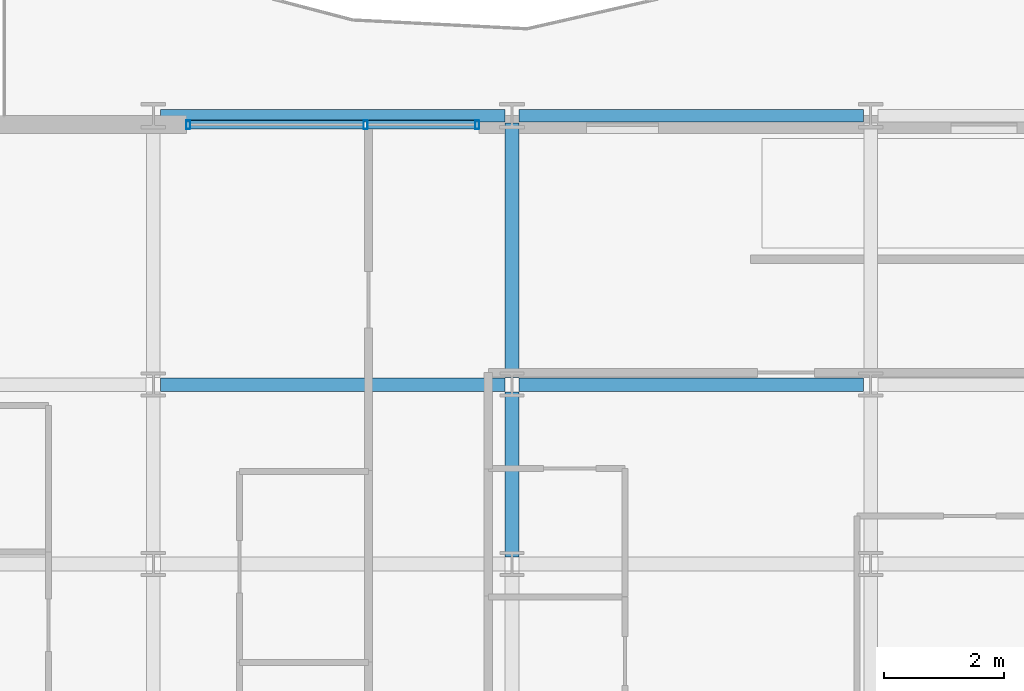
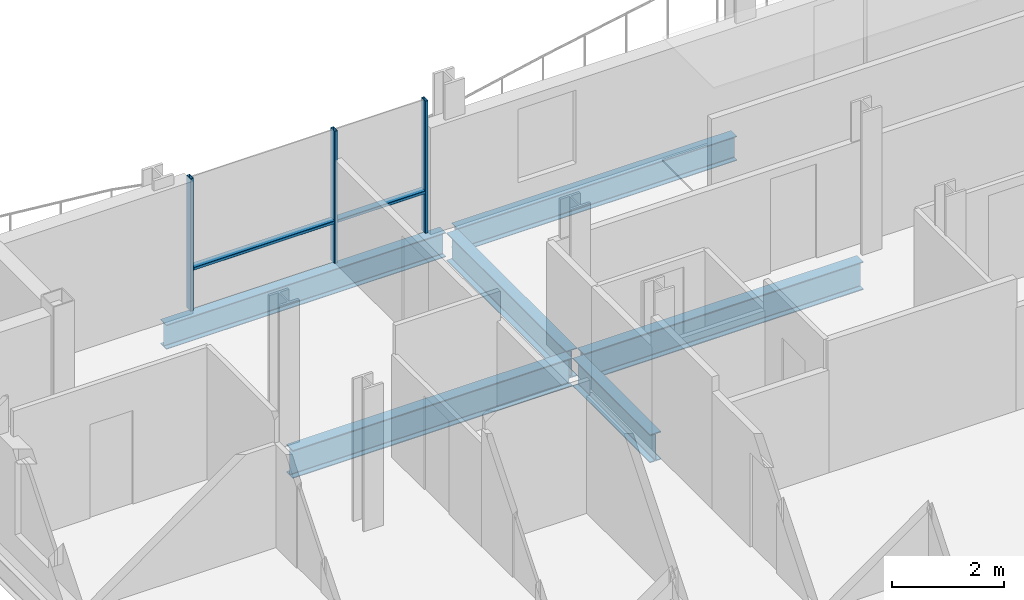
# One storey, part 7 of 38: 6 beams, 5 members, 1 element without a shape of its own.
"""IFC4 building model written with IfcOpenShell, lengths in metres."""

from ifc_helpers import new_model, si_unit, direction, frame, origin, origin_2d, place, context, subcontext, project, spatial, hollow_rectangle, i_section, extrude, material, layer, layer_set, material_profile, profile_set, type_object, element, aggregate, save


model = new_model("IFC4")

# Units and contexts
model_context = context("Model", 3, precision=1e-05, world=origin(), true_north=direction((0.0, 1.0)))
body_context = subcontext(model_context, "Body", "Model", "MODEL_VIEW")
ifc_project = project(units=[si_unit("LENGTHUNIT", "METRE"), si_unit("AREAUNIT", "SQUARE_METRE"), si_unit("VOLUMEUNIT", "CUBIC_METRE"), si_unit("PLANEANGLEUNIT", "RADIAN"), si_unit("MASSUNIT", "GRAM", prefix="KILO")], contexts=[model_context])

# Site, building, storey
site_placement = place(None, origin())
site = spatial("IfcSite", under=ifc_project, at=site_placement, CompositionType="ELEMENT")
building_placement = place(site_placement, origin())
building = spatial("IfcBuilding", under=site, at=building_placement, Name="Brevholm Reach", CompositionType="ELEMENT")
storey_placement = place(building_placement, frame((0.0, 0.0, 128.300048828125)))
storey = spatial("IfcBuildingStorey", under=building, at=storey_placement, Name="L38", CompositionType="ELEMENT", Elevation=128.300048828125)

# Beams
ifc_material_1 = material(Name="Structural Steel S355J2", Category="steel")
ifc_material_profile_1 = material_profile(ifc_material_1, i_section(OverallWidth=0.209228515625, OverallDepth=0.533203125, WebThickness=0.010009765625, FlangeThickness=0.015625, FilletRadius=0.0126953125, at=origin_2d()), Name="UKB 533x210x92")
ifc_profile_set_1 = profile_set([ifc_material_profile_1], Name="Structural Steel S355J2")
beam_type_1 = type_object("IfcBeamType", Name="BM-SP533", PredefinedType="SPANDREL", material=ifc_profile_set_1)
for number, where, z_axis, x_axis, name in (
    (1, (6.1201171875, 31.0, -0.486572265625), (1.0, 0.0, 0.0), (0.0, 1.0, 0.0), "L38 SP-02 Framing Beam"),
    (2, (12.1201171875, 31.0, -0.486572265625), (1.0, 0.0, 0.0), (0.0, 1.0, 0.0), "L38 SP-02 Framing Beam"),
):
    element("IfcBeam", number, at=place(storey_placement, frame(where, z_axis=z_axis, x_axis=x_axis)), inside=storey, type_object=beam_type_1, Name=name, PredefinedType="SPANDREL", context=body_context, shape_type="SweptSolid", body=[
        extrude(i_section(OverallWidth=0.209228515625, OverallDepth=0.533203125, WebThickness=0.010009765625, FlangeThickness=0.015625, FilletRadius=0.0126953125, at=origin_2d()), origin(), (0.0, 0.0, 1.0), 5.759765625),
    ])
ifc_material_2 = material(Name="Structural Steel S355J2", Category="steel")
ifc_material_profile_2 = material_profile(ifc_material_2, i_section(OverallWidth=0.22900390625, OverallDepth=0.6123046875, WebThickness=0.011962890625, FlangeThickness=0.01953125, FilletRadius=0.0126953125, at=origin_2d()), Name="UKB 610x229x125")
ifc_profile_set_2 = profile_set([ifc_material_profile_2], Name="Structural Steel S355J2")
beam_type_2 = type_object("IfcBeamType", Name="BM-SP610", PredefinedType="SPANDREL", material=ifc_profile_set_2)
for number, where, z_axis, x_axis, name in (
    (3, (6.1201171875, 26.5, -0.526123046875), (1.0, 0.0, 0.0), (0.0, 1.0, 0.0), "L38 SP-01 Framing Beam"),
    (4, (12.1201171875, 26.5, -0.526123046875), (1.0, 0.0, 0.0), (0.0, 1.0, 0.0), "L38 SP-01 Framing Beam"),
):
    element("IfcBeam", number, at=place(storey_placement, frame(where, z_axis=z_axis, x_axis=x_axis)), inside=storey, type_object=beam_type_2, Name=name, PredefinedType="SPANDREL", context=body_context, shape_type="SweptSolid", body=[
        extrude(i_section(OverallWidth=0.22900390625, OverallDepth=0.6123046875, WebThickness=0.011962890625, FlangeThickness=0.01953125, FilletRadius=0.0126953125, at=origin_2d()), origin(), (0.0, 0.0, 1.0), 5.759765625),
    ])
beam_1_placement = place(storey_placement, frame((12.0, 23.6201171875, -0.526123046875), z_axis=(0.0, 1.0, 0.0), x_axis=(-1.0, 0.0, 0.0)))
element("IfcBeam", 5, at=beam_1_placement, inside=storey, type_object=beam_type_2, Name="L38 SP-01 Framing Beam", PredefinedType="SPANDREL", context=body_context, shape_type="SweptSolid", body=[
    extrude(i_section(OverallWidth=0.22900390625, OverallDepth=0.6123046875, WebThickness=0.011962890625, FlangeThickness=0.01953125, FilletRadius=0.0126953125, at=origin_2d()), origin(), (0.0, 0.0, 1.0), 2.759765625),
])
beam_2_placement = place(storey_placement, frame((12.0, 26.6201171875, -0.526123046875), z_axis=(0.0, 1.0, 0.0), x_axis=(-1.0, 0.0, 0.0)))
element("IfcBeam", 6, at=beam_2_placement, inside=storey, type_object=beam_type_2, Name="L38 SP-01 Framing Beam", PredefinedType="SPANDREL", context=body_context, shape_type="SweptSolid", body=[
    extrude(i_section(OverallWidth=0.22900390625, OverallDepth=0.6123046875, WebThickness=0.011962890625, FlangeThickness=0.01953125, FilletRadius=0.0126953125, at=origin_2d()), origin(), (0.0, 0.0, 1.0), 4.259765625),
])

# Curtain wall, members
ifc_material_3 = material(Name="Dark Anodised Aluminium 6063-T6 and Solar-Control Glass", Category="aluminium")
ifc_layer = layer(ifc_material_3, 0.14990234375)
ifc_layer_set = layer_set([ifc_layer], Name="Dark Anodised Aluminium 6063-T6 and Solar-Control Glass")
curtain_wall_type = type_object("IfcCurtainWallType", Name="CW-01", PredefinedType="NOTDEFINED", material=ifc_layer_set)
curtain_wall_placement = place(storey_placement, origin())
curtain_wall = element("IfcCurtainWall", 7, at=curtain_wall_placement, inside=storey, type_object=curtain_wall_type, Name="L38 Curtain Wall CW-01", PredefinedType="NOTDEFINED")
ifc_material_4 = material(Name="Dark Anodised Aluminium 6063-T6", Category="aluminium")
ifc_material_profile_3 = material_profile(ifc_material_4, hollow_rectangle(XDim=0.06494140625, YDim=0.14990234375, WallThickness=0.0048828125, InnerFilletRadius=0.0048828125, OuterFilletRadius=0.010009765625, at=origin_2d()), Name="RHS 150x65x5")
ifc_profile_set_3 = profile_set([ifc_material_profile_3], Name="Dark Anodised Aluminium 6063-T6")
member_type_1 = type_object("IfcMemberType", Name="CWM-150", PredefinedType="MULLION", material=ifc_profile_set_3)
member_1_placement = place(storey_placement, frame((6.58251953125, 30.85009765625, 0.0), z_axis=(0.0, 0.0, 1.0), x_axis=(1.0, 0.0, 0.0)))
member_1 = element("IfcMember", 8, at=member_1_placement, type_object=member_type_1, Name="CM-150 Mullion 1", PredefinedType="MULLION", context=body_context, shape_type="SweptSolid", body=[
    extrude(hollow_rectangle(XDim=0.06494140625, YDim=0.14990234375, WallThickness=0.0048828125, InnerFilletRadius=0.0048828125, OuterFilletRadius=0.010009765625, at=origin_2d()), origin(), (0.0, 0.0, 1.0), 2.8798828125),
])
member_2_placement = place(storey_placement, frame((9.550048828125, 30.85009765625, 0.0), z_axis=(0.0, 0.0, 1.0), x_axis=(1.0, 0.0, 0.0)))
member_2 = element("IfcMember", 9, at=member_2_placement, type_object=member_type_1, Name="CM-150 Mullion 2", PredefinedType="MULLION", context=body_context, shape_type="SweptSolid", body=[
    extrude(hollow_rectangle(XDim=0.06494140625, YDim=0.14990234375, WallThickness=0.0048828125, InnerFilletRadius=0.0048828125, OuterFilletRadius=0.010009765625, at=origin_2d()), origin(), (0.0, 0.0, 1.0), 2.8798828125),
])
member_3_placement = place(storey_placement, frame((11.41748046875, 30.85009765625, 0.0), z_axis=(0.0, 0.0, 1.0), x_axis=(1.0, 0.0, 0.0)))
member_3 = element("IfcMember", 10, at=member_3_placement, type_object=member_type_1, Name="CM-150 Mullion 3", PredefinedType="MULLION", context=body_context, shape_type="SweptSolid", body=[
    extrude(hollow_rectangle(XDim=0.06494140625, YDim=0.14990234375, WallThickness=0.0048828125, InnerFilletRadius=0.0048828125, OuterFilletRadius=0.010009765625, at=origin_2d()), origin(), (0.0, 0.0, 1.0), 2.8798828125),
])
ifc_material_5 = material(Name="Dark Anodised Aluminium 6063-T6", Category="aluminium")
ifc_material_profile_4 = material_profile(ifc_material_5, hollow_rectangle(XDim=0.06494140625, YDim=0.14990234375, WallThickness=0.0048828125, InnerFilletRadius=0.0048828125, OuterFilletRadius=0.010009765625, at=origin_2d()), Name="RHS 150x65x5")
ifc_profile_set_4 = profile_set([ifc_material_profile_4], Name="Dark Anodised Aluminium 6063-T6")
member_type_2 = type_object("IfcMemberType", Name="CWT-150", PredefinedType="NOTDEFINED", material=ifc_profile_set_4)
member_4_placement = place(storey_placement, frame((6.614990234375, 30.85009765625, 0.89990234375), z_axis=(1.0, 0.0, 0.0), x_axis=(0.0, 0.0, 1.0)))
member_4 = element("IfcMember", 11, at=member_4_placement, type_object=member_type_2, Name="CT-150 Transom 1.1", ObjectType="TRANSOM", PredefinedType="USERDEFINED", context=body_context, shape_type="SweptSolid", body=[
    extrude(hollow_rectangle(XDim=0.06494140625, YDim=0.14990234375, WallThickness=0.0048828125, InnerFilletRadius=0.0048828125, OuterFilletRadius=0.010009765625, at=origin_2d()), origin(), (0.0, 0.0, 1.0), 2.902587890625),
])
member_5_placement = place(storey_placement, frame((9.58251953125, 30.85009765625, 0.89990234375), z_axis=(1.0, 0.0, 0.0), x_axis=(0.0, 0.0, 1.0)))
member_5 = element("IfcMember", 12, at=member_5_placement, type_object=member_type_2, Name="CT-150 Transom 2.1", ObjectType="TRANSOM", PredefinedType="USERDEFINED", context=body_context, shape_type="SweptSolid", body=[
    extrude(hollow_rectangle(XDim=0.06494140625, YDim=0.14990234375, WallThickness=0.0048828125, InnerFilletRadius=0.0048828125, OuterFilletRadius=0.010009765625, at=origin_2d()), origin(), (0.0, 0.0, 1.0), 1.802490234375),
])
aggregate(curtain_wall, [member_1, member_2, member_3, member_4, member_5])

save(model, "model.ifc")
